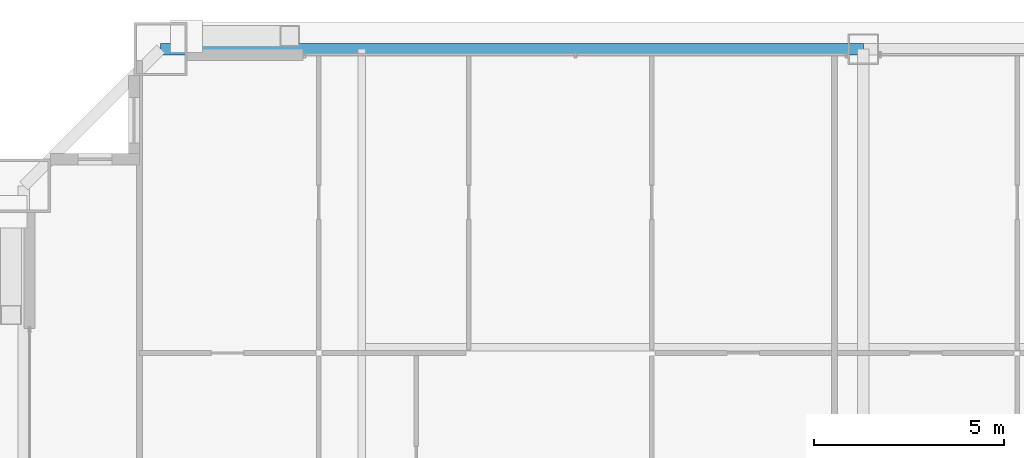
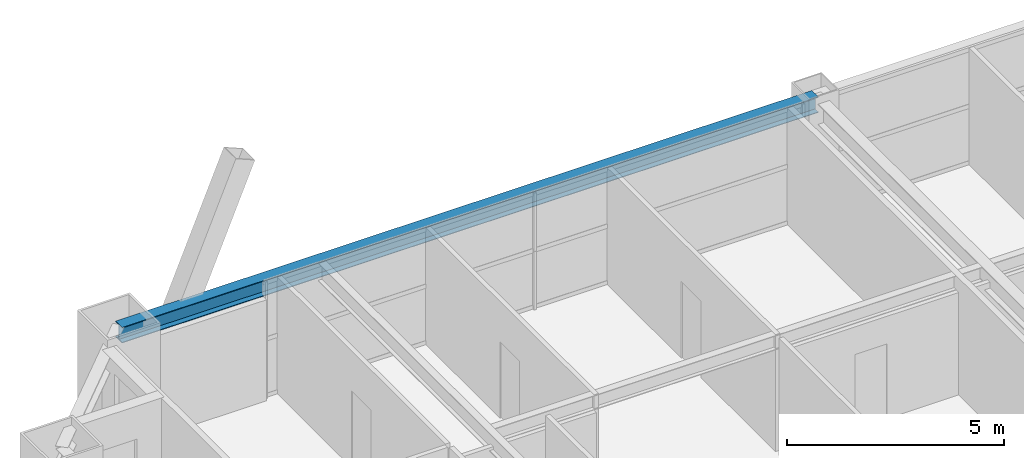
# One storey, part 33 of 45: 1 beam.
"""IFC4 building model written with IfcOpenShell, lengths in metres."""

from ifc_helpers import new_model, si_unit, direction, frame, origin, origin_2d, place, context, subcontext, project, spatial, i_section, extrude, source, transform, mapped, material, material_profile, profile_set, type_object, element, save


model = new_model("IFC4")

# Units and contexts
model_context = context("Model", 3, precision=1e-05, world=origin(), true_north=direction((0.0, 1.0)))
body_context = subcontext(model_context, "Body", "Model", "MODEL_VIEW")
ifc_project = project(units=[si_unit("LENGTHUNIT", "METRE"), si_unit("AREAUNIT", "SQUARE_METRE"), si_unit("VOLUMEUNIT", "CUBIC_METRE"), si_unit("PLANEANGLEUNIT", "RADIAN"), si_unit("MASSUNIT", "GRAM", prefix="KILO"), si_unit("THERMODYNAMICTEMPERATUREUNIT", "KELVIN"), si_unit("POWERUNIT", "WATT")], contexts=[model_context])

# Site, building, storey
site_placement = place(None, origin())
site = spatial("IfcSite", under=ifc_project, at=site_placement, CompositionType="ELEMENT")
building_placement = place(site_placement, origin())
building = spatial("IfcBuilding", under=site, at=building_placement, Name="Yuzanri Waterfront Tower", CompositionType="ELEMENT")
storey_placement = place(building_placement, frame((0.0, 0.0, 212.5)))
storey = spatial("IfcBuildingStorey", under=building, at=storey_placement, Name="L56", CompositionType="ELEMENT", Elevation=212.5)

# Beam
ifc_material = material(Name="Steel Q355B", Category="steel")
ifc_material_profile = material_profile(ifc_material, i_section(OverallWidth=0.300048828125, OverallDepth=0.43994140625, WebThickness=0.010986328125, FlangeThickness=0.01806640625, at=origin_2d()), Name="HM 440x300x11x18")
ifc_profile_set = profile_set([ifc_material_profile], Name="Steel Q355B")
beam_type = type_object("IfcBeamType", Name="Perimeter Spandrel Q355B HM 440x300", PredefinedType="SPANDREL", material=ifc_profile_set)
shared_shape = source(origin(), body_context, "Body", "SweptSolid", [
    extrude(i_section(OverallWidth=0.300048828125, OverallDepth=0.43994140625, WebThickness=0.010986328125, FlangeThickness=0.01806640625, at=origin_2d()), origin(), (0.0, 0.0, 1.0), 18.5),
])
beam_placement = place(storey_placement, frame((37.0, 47.89990234375, 3.06005859375), z_axis=(-1.0, 0.0, 0.0), x_axis=(0.0, -1.0, 0.0)))
element("IfcBeam", 1, at=beam_placement, inside=storey, type_object=beam_type, Name="L56 Perimeter Spandrel N2-N1", PredefinedType="SPANDREL", context=body_context, shape_type="MappedRepresentation", body=[
    mapped(shared_shape, transform((0.0, 0.0, 0.0), scale=1.0)),
])

save(model, "model.ifc")
